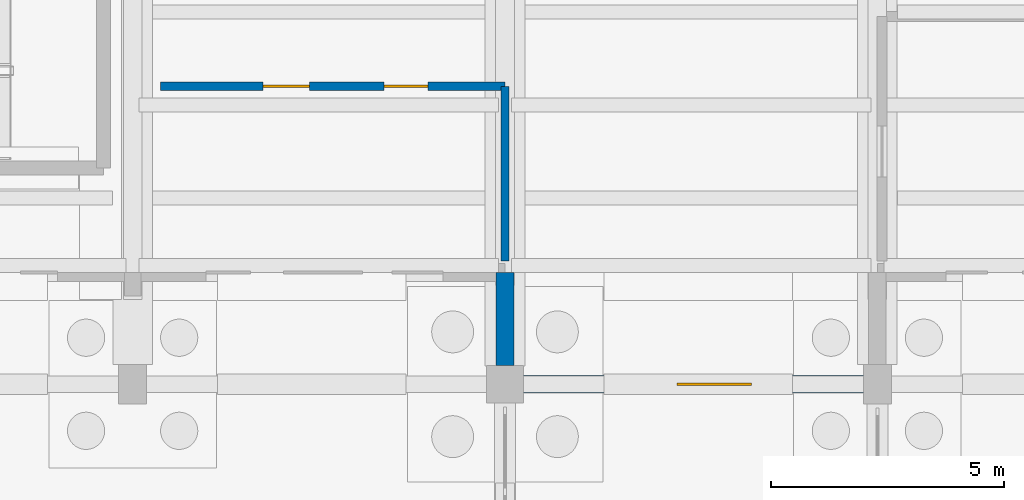
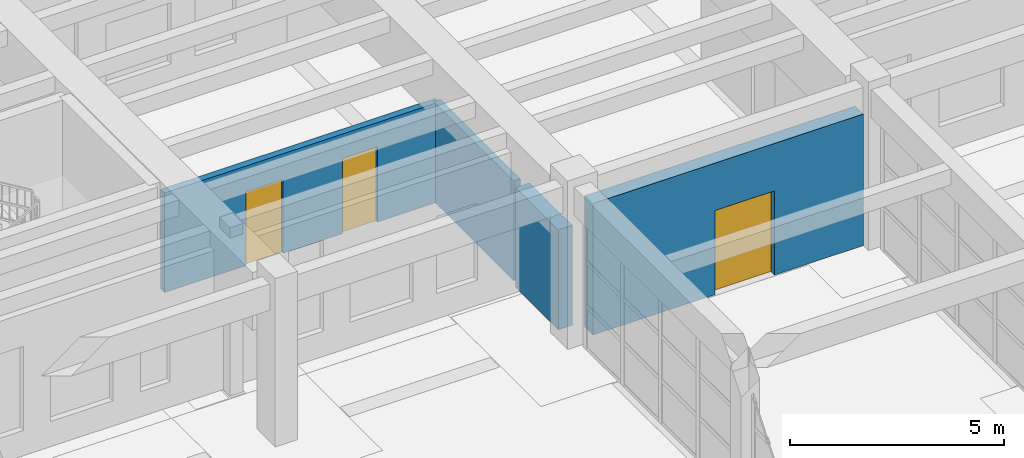
# One storey, part 47 of 68: 4 walls, 3 doors, 3 openings.
"""IFC4 building model written with IfcOpenShell, lengths in metres."""

from ifc_helpers import new_model, si_unit, direction, frame, frame_2d, origin, place, context, subcontext, project, spatial, rectangle, extrude, material, layer, layer_set, type_object, element, fill, save


model = new_model("IFC4")

# Units and contexts
model_context = context("Model", 3, precision=1e-05, world=origin(), true_north=direction((0.0, 1.0)))
body_context = subcontext(model_context, "Body", "Model", "MODEL_VIEW")
ifc_project = project(units=[si_unit("LENGTHUNIT", "METRE"), si_unit("AREAUNIT", "SQUARE_METRE"), si_unit("VOLUMEUNIT", "CUBIC_METRE"), si_unit("PLANEANGLEUNIT", "RADIAN"), si_unit("MASSUNIT", "GRAM", prefix="KILO")], contexts=[model_context])

# Site, building, storey
site_placement = place(None, origin())
site = spatial("IfcSite", under=ifc_project, at=site_placement, CompositionType="ELEMENT")
building_placement = place(site_placement, origin())
building = spatial("IfcBuilding", under=site, at=building_placement, Name="Serraluz Foothill Cableway Terminal", CompositionType="ELEMENT")
storey_placement = place(building_placement, origin())
storey = spatial("IfcBuildingStorey", under=building, at=storey_placement, Name="L00", CompositionType="ELEMENT", Elevation=0.0)

# Wall
ifc_material_1 = material(Name="Dark clinker clay masonry brick (f'm 14 MPa)", Category="masonry")
ifc_layer_1 = layer(ifc_material_1, 0.3798828125, Name="Dark clinker clay masonry brick (f'm 14 MPa)", Category="masonry")
ifc_layer_set_1 = layer_set([ifc_layer_1], Name="Dark clinker clay masonry brick (f'm 14 MPa)")
wall_type_1 = type_object("IfcWallType", Name="TYP-WL-EXT-380", PredefinedType="STANDARD", material=ifc_layer_set_1)
wall_1_placement = place(storey_placement, frame((120.0, 56.39990234375, 0.0), z_axis=(0.0, 0.0, 1.0), x_axis=(0.0, 1.0, 0.0)))
element("IfcWall", 1, at=wall_1_placement, inside=storey, type_object=wall_type_1, Name="Exterior Masonry Wall EW-V1S-CLW-L00", PredefinedType="STANDARD", context=body_context, shape_type="SweptSolid", body=[
    extrude(rectangle(XDim=2.0, YDim=0.3798828125, at=frame_2d((1.0, 0.0))), origin(), (0.0, 0.0, 1.0), 2.85009765625),
])

# Wall, opening, door
wall_2_placement = place(storey_placement, frame((127.699951171875, 56.0, 0.0), z_axis=(0.0, 0.0, 1.0), x_axis=(-1.0, 0.0, 0.0)))
wall_2 = element("IfcWall", 2, at=wall_2_placement, inside=storey, type_object=wall_type_1, Name="Exterior Masonry Wall EW-V1S-L00-120", PredefinedType="STANDARD", context=body_context, shape_type="SweptSolid", body=[
    extrude(rectangle(XDim=7.300048828125, YDim=0.3798828125, at=frame_2d((3.64990234375, 0.0))), origin(), (0.0, 0.0, 1.0), 3.75),
])
opening_1_placement = place(wall_2_placement, frame((2.39990234375, 0.0, 0.0)))
opening_1 = element("IfcOpeningElement", 3, at=opening_1_placement, cuts=wall_2, Name="Opening DT-03", PredefinedType="OPENING", context=body_context, shape_type="SweptSolid", body=[
    extrude(rectangle(XDim=1.60009765625, YDim=2.39990234375, at=frame_2d((0.800048828125, 1.199951171875))), frame((0.0, 0.199951171875, 0.0), z_axis=(0.0, -1.0, 0.0), x_axis=(1.0, 0.0, 0.0)), (0.0, 0.0, 1.0), 0.39990234375),
])
ifc_material_2 = material(Name="Architectural bronze alloy C28000", Category="aluminium")
door_type_1 = type_object("IfcDoorType", Name="TYP-DR-TER-1600", OperationType="DOUBLE_DOOR_SINGLE_SWING", PredefinedType="DOOR", material=ifc_material_2)
door_1_placement = place(opening_1_placement, origin())
door_1 = element("IfcDoor", 4, at=door_1_placement, inside=storey, type_object=door_type_1, Name="Cloister North Bridge Door L00", OperationType="DOUBLE_DOOR_SINGLE_SWING", OverallHeight=2.39990234375, OverallWidth=1.60009765625, PredefinedType="DOOR", context=body_context, shape_type="SweptSolid", body=[
    extrude(rectangle(XDim=1.60009765625, YDim=2.39990234375, at=frame_2d((0.800048828125, 1.199951171875))), frame((0.0, 0.02490234375, 0.0), z_axis=(0.0, -1.0, 0.0), x_axis=(1.0, 0.0, 0.0)), (0.0, 0.0, 1.0), 0.050048828125),
])
fill(opening_1, door_1)

# Wall, openings, doors
ifc_material_3 = material(Name="Fired clay masonry brick (f'm 12 MPa)", Category="masonry")
ifc_layer_2 = layer(ifc_material_3, 0.179931640625, Name="Fired clay masonry brick (f'm 12 MPa)", Category="masonry")
ifc_layer_set_2 = layer_set([ifc_layer_2], Name="Fired clay masonry brick (f'm 12 MPa)")
wall_type_2 = type_object("IfcWallType", Name="TYP-WL-PRT-180", PredefinedType="PARTITIONING", material=ifc_layer_set_2)
wall_3_placement = place(storey_placement, frame((112.60009765625, 62.39990234375, 0.0), z_axis=(0.0, 0.0, 1.0), x_axis=(1.0, 0.0, 0.0)))
wall_3 = element("IfcWall", 5, at=wall_3_placement, inside=storey, type_object=wall_type_2, Name="Interior Partition PT-L00-02B", PredefinedType="PARTITIONING", context=body_context, shape_type="SweptSolid", body=[
    extrude(rectangle(XDim=7.39990234375, YDim=0.179931640625, at=frame_2d((3.699951171875, 0.0))), origin(), (0.0, 0.0, 1.0), 2.842041015625),
])
opening_2_placement = place(wall_3_placement, frame((2.199951171875, 0.0, 0.0)))
opening_2 = element("IfcOpeningElement", 6, at=opening_2_placement, cuts=wall_3, Name="Opening DI-04", PredefinedType="OPENING", context=body_context, shape_type="SweptSolid", body=[
    extrude(rectangle(XDim=1.0, YDim=2.10009765625, at=frame_2d((0.5, 1.050048828125))), frame((0.0, 0.10009765625, 0.0), z_axis=(0.0, -1.0, 0.0), x_axis=(1.0, 0.0, 0.0)), (0.0, 0.0, 1.0), 0.199951171875),
])
opening_3_placement = place(wall_3_placement, frame((4.800048828125, 0.0, 0.0)))
opening_3 = element("IfcOpeningElement", 7, at=opening_3_placement, cuts=wall_3, Name="Opening DI-02", PredefinedType="OPENING", context=body_context, shape_type="SweptSolid", body=[
    extrude(rectangle(XDim=0.949951171875, YDim=2.14990234375, at=frame_2d((0.47509765625, 1.074951171875))), frame((0.0, 0.10009765625, 0.0), z_axis=(0.0, -1.0, 0.0), x_axis=(1.0, 0.0, 0.0)), (0.0, 0.0, 1.0), 0.199951171875),
])
ifc_material_4 = material(Name="Kiln-dried Andean oak hardwood", Category="wood")
door_type_2 = type_object("IfcDoorType", Name="TYP-DR-ACC-1000", OperationType="NOTDEFINED", PredefinedType="DOOR", material=ifc_material_4)
door_2_placement = place(opening_2_placement, origin())
door_2 = element("IfcDoor", 8, at=door_2_placement, inside=storey, type_object=door_type_2, Name="Interior Door PT-L00-02B-DR1", OperationType="SINGLE_SWING_LEFT", OverallHeight=2.10009765625, OverallWidth=1.0, PredefinedType="DOOR", context=body_context, shape_type="SweptSolid", body=[
    extrude(rectangle(XDim=1.0, YDim=2.10009765625, at=frame_2d((0.5, 1.050048828125))), frame((0.0, 0.02490234375, 0.0), z_axis=(0.0, -1.0, 0.0), x_axis=(1.0, 0.0, 0.0)), (0.0, 0.0, 1.0), 0.050048828125),
])
fill(opening_2, door_2)
door_type_3 = type_object("IfcDoorType", Name="TYP-DR-SGL-950", OperationType="NOTDEFINED", PredefinedType="DOOR", material=ifc_material_4)
door_3_placement = place(opening_3_placement, origin())
door_3 = element("IfcDoor", 9, at=door_3_placement, inside=storey, type_object=door_type_3, Name="Interior Door PT-L00-02B-DR2", OperationType="SINGLE_SWING_RIGHT", OverallHeight=2.14990234375, OverallWidth=0.949951171875, PredefinedType="DOOR", context=body_context, shape_type="SweptSolid", body=[
    extrude(rectangle(XDim=0.949951171875, YDim=2.14990234375, at=frame_2d((0.47509765625, 1.074951171875))), frame((0.0, 0.02490234375, 0.0), z_axis=(0.0, -1.0, 0.0), x_axis=(1.0, 0.0, 0.0)), (0.0, 0.0, 1.0), 0.050048828125),
])
fill(opening_3, door_3)

# Wall
wall_4_placement = place(storey_placement, frame((120.0, 58.64990234375, 0.0), z_axis=(0.0, 0.0, 1.0), x_axis=(0.0, 1.0, 0.0)))
element("IfcWall", 10, at=wall_4_placement, inside=storey, type_object=wall_type_2, Name="Interior Partition PT-L00-02C", PredefinedType="PARTITIONING", context=body_context, shape_type="SweptSolid", body=[
    extrude(rectangle(XDim=3.75, YDim=0.179931640625, at=frame_2d((1.875, 0.0))), origin(), (0.0, 0.0, 1.0), 2.842041015625),
])

save(model, "model.ifc")
